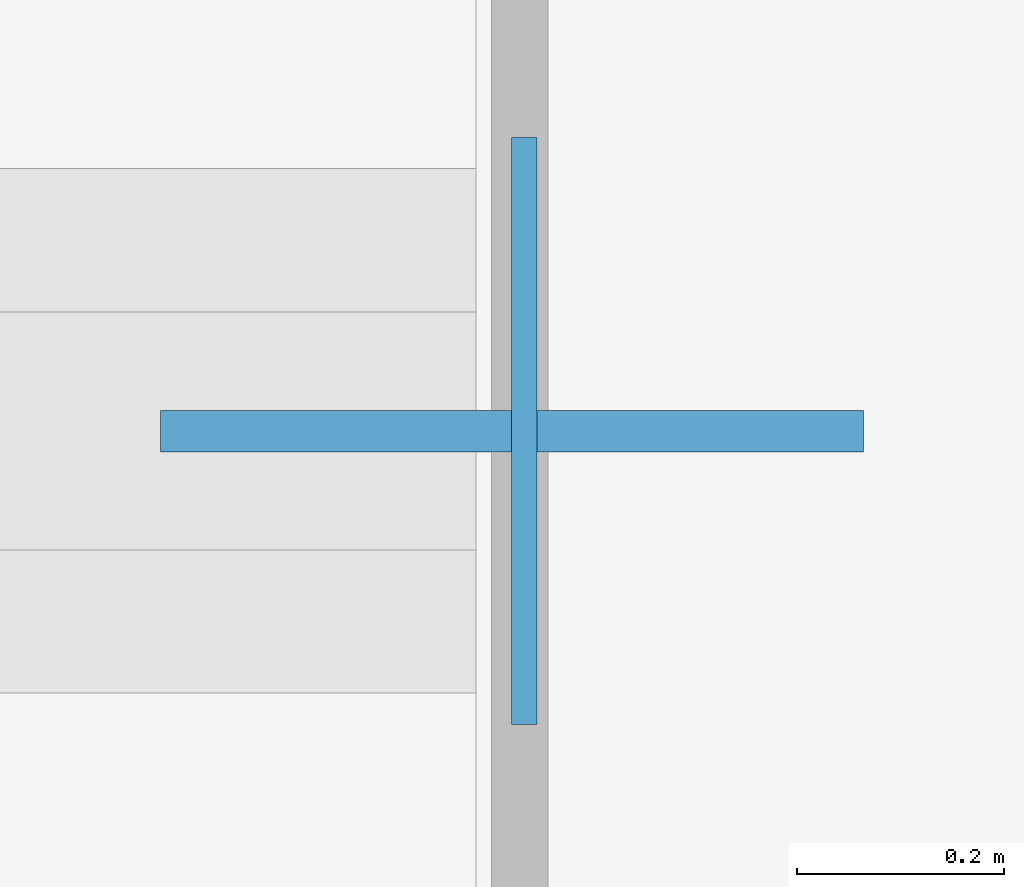
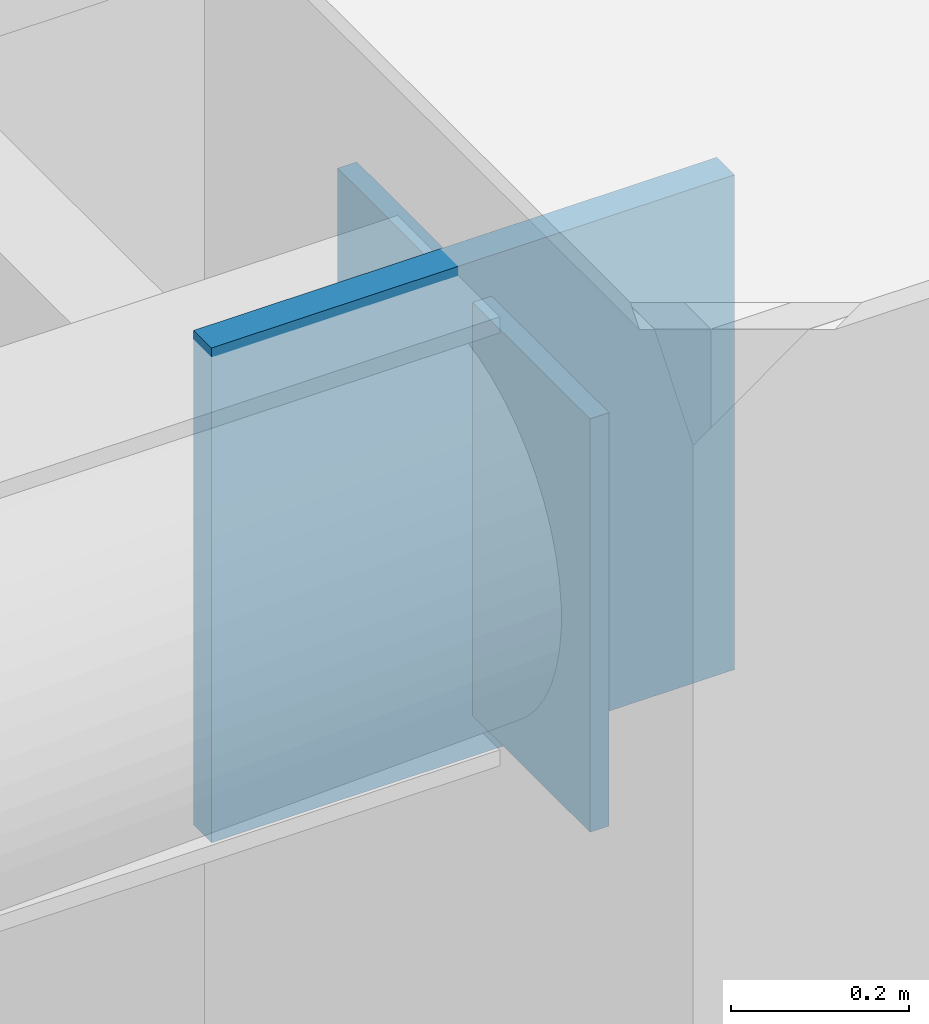
# One storey, part 6 of 17: 2 plates.
"""IFC4 building model written with IfcOpenShell, lengths in metres."""

from ifc_helpers import new_model, si_unit, direction, frame, origin, origin_2d, place, context, subcontext, project, spatial, rectangle, extrude, material, layer, layer_set, type_object, element, save


model = new_model("IFC4")

# Units and contexts
model_context = context("Model", 3, precision=1e-05, world=origin(), true_north=direction((0.0, 1.0)))
body_context = subcontext(model_context, "Body", "Model", "MODEL_VIEW")
ifc_project = project(units=[si_unit("LENGTHUNIT", "METRE"), si_unit("AREAUNIT", "SQUARE_METRE"), si_unit("VOLUMEUNIT", "CUBIC_METRE"), si_unit("PLANEANGLEUNIT", "RADIAN"), si_unit("MASSUNIT", "GRAM", prefix="KILO")], contexts=[model_context])

# Site, building, storey
site_placement = place(None, origin())
site = spatial("IfcSite", under=ifc_project, at=site_placement, CompositionType="ELEMENT")
building_placement = place(site_placement, origin())
building = spatial("IfcBuilding", under=site, at=building_placement, Name="Khamvora Tower", CompositionType="ELEMENT")
storey_placement = place(building_placement, frame((0.0, 0.0, 73.449951171875)))
storey = spatial("IfcBuildingStorey", under=building, at=storey_placement, Name="L18", CompositionType="ELEMENT", Elevation=73.449951171875)

# Plates
ifc_material_1 = material(Name="Steel S355", Category="steel")
ifc_layer_1 = layer(ifc_material_1, 0.02490234375)
ifc_layer_set_1 = layer_set([ifc_layer_1], Name="Steel S355")
plate_type_1 = type_object("IfcPlateType", Name="PL-CAP-25", PredefinedType="SHEET", material=ifc_layer_set_1)
plate_1_placement = place(storey_placement, frame((43.73193359375, 50.800048828125, 2.81787109375), z_axis=(0.0, 0.0, 1.0), x_axis=(1.0, 0.0, 0.0)))
element("IfcPlate", 1, at=plate_1_placement, inside=storey, type_object=plate_type_1, Name="L18 hollow section steel end cap plate 0603", PredefinedType="SHEET", context=body_context, shape_type="SweptSolid", body=[
    extrude(rectangle(XDim=0.02490234375, YDim=0.568115234375, at=origin_2d()), origin(), (0.0, 0.0, 1.0), 0.568115234375),
])
ifc_material_2 = material(Name="Steel S460", Category="steel")
ifc_layer_2 = layer(ifc_material_2, 0.0400390625)
ifc_layer_set_2 = layer_set([ifc_layer_2], Name="Steel S460")
plate_type_2 = type_object("IfcPlateType", Name="PLT-GUS-40", PredefinedType="SHEET", material=ifc_layer_set_2)
plate_2_placement = place(storey_placement, frame((43.719970703125, 50.800048828125, 2.76220703125), z_axis=(0.0, 0.0, 1.0), x_axis=(1.0, 0.0, 0.0)))
element("IfcPlate", 2, at=plate_2_placement, inside=storey, type_object=plate_type_2, Name="L18 brace connection node gusset plate 0120", PredefinedType="SHEET", context=body_context, shape_type="SweptSolid", body=[
    extrude(rectangle(XDim=0.679931640625, YDim=0.0400390625, at=origin_2d()), origin(), (0.0, 0.0, 1.0), 0.679931640625),
])

save(model, "model.ifc")
